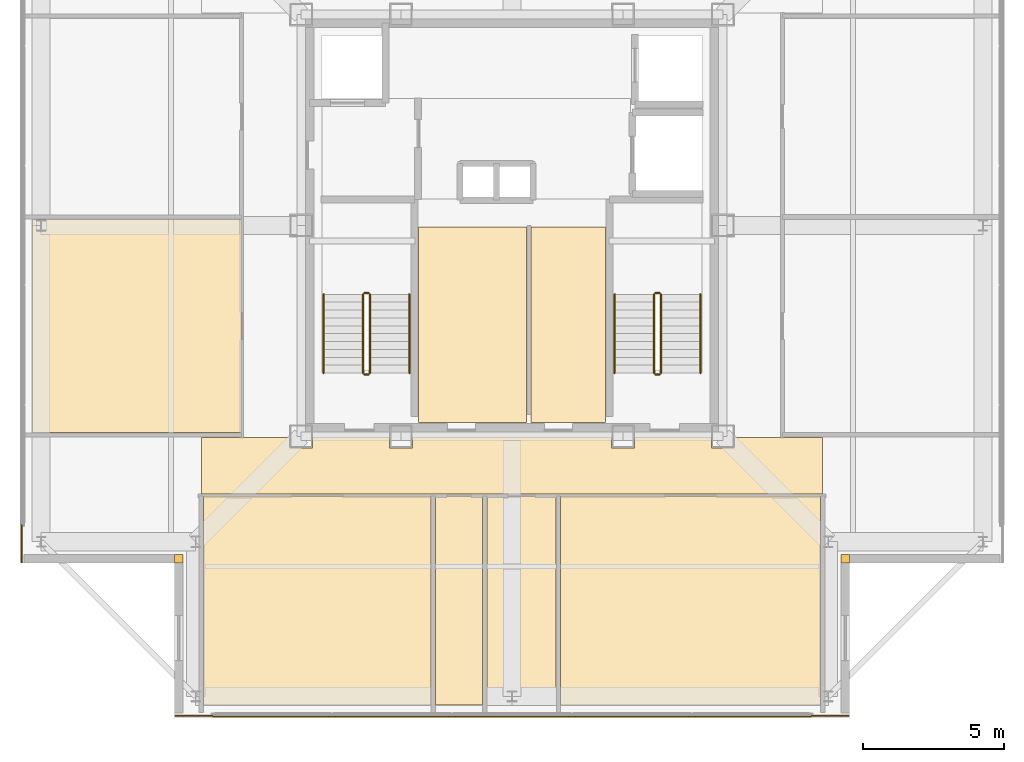
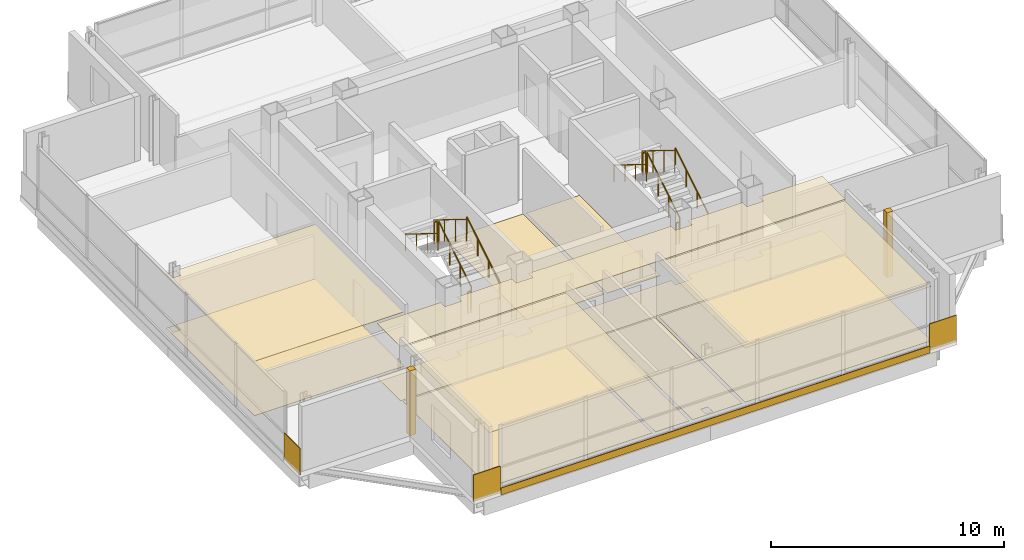
# One storey, part 11 of 12: 18 coverings, 12 railings.
"""IFC4 building model written with IfcOpenShell, lengths in metres."""

from ifc_helpers import new_model, si_unit, direction, frame, frame_2d, origin, origin_2d, place, context, subcontext, project, spatial, polyline, rectangle, circle, outline, extrude, material, layer, layer_set, type_object, element, save


model = new_model("IFC4")

# Units and contexts
model_context = context("Model", 3, precision=1e-05, world=origin(), true_north=direction((0.0, 1.0)))
body_context = subcontext(model_context, "Body", "Model", "MODEL_VIEW")
ifc_project = project(units=[si_unit("LENGTHUNIT", "METRE"), si_unit("AREAUNIT", "SQUARE_METRE"), si_unit("VOLUMEUNIT", "CUBIC_METRE"), si_unit("PLANEANGLEUNIT", "RADIAN"), si_unit("MASSUNIT", "GRAM", prefix="KILO")], contexts=[model_context])

# Site, building, storey
site_placement = place(None, origin())
site = spatial("IfcSite", under=ifc_project, at=site_placement, CompositionType="ELEMENT")
building_placement = place(site_placement, origin())
building = spatial("IfcBuilding", under=site, at=building_placement, Name="Trevonay Congress Spire", CompositionType="ELEMENT")
storey_placement = place(building_placement, frame((0.0, 0.0, 304.60009765625)))
storey = spatial("IfcBuildingStorey", under=building, at=storey_placement, Name="L80", CompositionType="ELEMENT", Elevation=304.60009765625)

# Coverings
ifc_material_1 = material(Name="Acoustic Mineral Fibre Board", Category="gypsum")
ifc_layer_1 = layer(ifc_material_1, 0.02490234375, Name="Acoustic Mineral Fibre Board")
ifc_layer_set_1 = layer_set([ifc_layer_1], Name="Acoustic Mineral Fibre Board")
covering_type_1 = type_object("IfcCoveringType", Name="COV-CEIL-ACOUSTIC", PredefinedType="CEILING", material=ifc_layer_set_1)
covering_1_placement = place(storey_placement, frame((0.0, 0.0, 2.849853515625)))
element("IfcCovering", 1, at=covering_1_placement, inside=storey, type_object=covering_type_1, Name="L80 Crown Gallery Corridor South acoustic suspended ceiling", PredefinedType="CEILING", context=body_context, shape_type="SweptSolid", body=[
    extrude(outline(polyline([(11.050048828125, -7.550048828125), (11.050048828125, -9.550048828125), (-11.050048828125, -9.550048828125), (-11.050048828125, -7.550048828125), (-7.909912109375, -7.550048828125), (-7.909912109375, -7.909912109375), (-7.090087890625, -7.909912109375), (-7.090087890625, -7.550048828125), (-4.360107421875, -7.550048828125), (-4.360107421875, -7.909912109375), (-3.5400390625, -7.909912109375), (-3.5400390625, -7.550048828125), (3.5400390625, -7.550048828125), (3.5400390625, -7.909912109375), (4.360107421875, -7.909912109375), (4.360107421875, -7.550048828125), (7.090087890625, -7.550048828125), (7.090087890625, -7.909912109375), (7.909912109375, -7.909912109375), (7.909912109375, -7.550048828125), (11.050048828125, -7.550048828125)])), origin(), (0.0, 0.0, 1.0), 0.025146484375),
])
covering_2_placement = place(storey_placement, frame((0.0, 0.0, 2.849853515625)))
element("IfcCovering", 2, at=covering_2_placement, inside=storey, type_object=covering_type_1, Name="L80 Sky Observatory Salon South acoustic suspended ceiling", PredefinedType="CEILING", context=body_context, shape_type="SweptSolid", body=[
    extrude(outline(polyline([(-10.969970703125, -17.050048828125), (-2.8798828125, -17.050048828125), (-2.8798828125, -9.6201171875), (-10.969970703125, -9.6201171875), (-10.969970703125, -17.050048828125)])), origin(), (0.0, 0.0, 1.0), 0.025146484375),
])
covering_3_placement = place(storey_placement, frame((0.0, 0.0, 2.849853515625)))
element("IfcCovering", 3, at=covering_3_placement, inside=storey, type_object=covering_type_1, Name="L80 Crown Cocktail Bar acoustic suspended ceiling", PredefinedType="CEILING", context=body_context, shape_type="SweptSolid", body=[
    extrude(outline(polyline([(1.72998046875, -17.050048828125), (10.969970703125, -17.050048828125), (10.969970703125, -9.6201171875), (1.72998046875, -9.6201171875), (1.72998046875, -17.050048828125)])), origin(), (0.0, 0.0, 1.0), 0.025146484375),
])
covering_4_placement = place(storey_placement, frame((0.0, 0.0, 2.849853515625)))
element("IfcCovering", 4, at=covering_4_placement, inside=storey, type_object=covering_type_1, Name="L80 VIP Summit Reception Suite acoustic suspended ceiling", PredefinedType="CEILING", context=body_context, shape_type="SweptSolid", body=[
    extrude(outline(polyline([(-17.050048828125, 0.219970703125), (-9.6201171875, 0.219970703125), (-9.6201171875, -7.3701171875), (-17.050048828125, -7.3701171875), (-17.050048828125, 0.219970703125)]), holes=[polyline([(-16.5791015625, -0.196044921875), (-16.5791015625, 0.196044921875), (-16.9208984375, 0.196044921875), (-16.9208984375, -0.196044921875), (-16.5791015625, -0.196044921875)])]), origin(), (0.0, 0.0, 1.0), 0.025146484375),
])
ifc_material_2 = material(Name="Polished Granite Floor Tile", Category="masonry")
ifc_layer_2 = layer(ifc_material_2, 0.02001953125, Name="Polished Granite Floor Tile")
ifc_layer_set_2 = layer_set([ifc_layer_2], Name="Polished Granite Floor Tile")
covering_type_2 = type_object("IfcCoveringType", Name="COV-FLOOR-STONE", PredefinedType="FLOORING", material=ifc_layer_set_2)
covering_5_placement = place(storey_placement, origin())
element("IfcCovering", 5, at=covering_5_placement, inside=storey, type_object=covering_type_2, Name="L80 Core Electrical Sub-Board Room floor finish", PredefinedType="FLOORING", context=body_context, shape_type="SweptSolid", body=[
    extrude(outline(polyline([(-3.320068359375, -7.0), (0.52001953125, -7.0), (0.52001953125, -0.050048828125), (-3.320068359375, -0.050048828125), (-3.320068359375, -7.0)])), origin(), (0.0, 0.0, 1.0), 0.02001953125),
])
covering_6_placement = place(storey_placement, origin())
element("IfcCovering", 6, at=covering_6_placement, inside=storey, type_object=covering_type_2, Name="L80 Cleaner and Housekeeping Store floor finish", PredefinedType="FLOORING", context=body_context, shape_type="SweptSolid", body=[
    extrude(outline(polyline([(0.679931640625, -7.0), (3.320068359375, -7.0), (3.320068359375, -0.050048828125), (0.679931640625, -0.050048828125), (0.679931640625, -7.0)])), origin(), (0.0, 0.0, 1.0), 0.02001953125),
])
covering_7_placement = place(storey_placement, origin())
element("IfcCovering", 7, at=covering_7_placement, inside=storey, type_object=covering_type_2, Name="L80 Crown Gallery Corridor South floor finish", PredefinedType="FLOORING", context=body_context, shape_type="SweptSolid", body=[
    extrude(outline(polyline([(11.050048828125, -7.550048828125), (11.050048828125, -9.550048828125), (-11.050048828125, -9.550048828125), (-11.050048828125, -7.550048828125), (-7.909912109375, -7.550048828125), (-7.909912109375, -7.909912109375), (-7.090087890625, -7.909912109375), (-7.090087890625, -7.550048828125), (-4.360107421875, -7.550048828125), (-4.360107421875, -7.909912109375), (-3.5400390625, -7.909912109375), (-3.5400390625, -7.550048828125), (3.5400390625, -7.550048828125), (3.5400390625, -7.909912109375), (4.360107421875, -7.909912109375), (4.360107421875, -7.550048828125), (7.090087890625, -7.550048828125), (7.090087890625, -7.909912109375), (7.909912109375, -7.909912109375), (7.909912109375, -7.550048828125), (11.050048828125, -7.550048828125)])), origin(), (0.0, 0.0, 1.0), 0.02001953125),
])
covering_8_placement = place(storey_placement, origin())
element("IfcCovering", 8, at=covering_8_placement, inside=storey, type_object=covering_type_2, Name="L80 Sky Observatory Salon South floor finish", PredefinedType="FLOORING", context=body_context, shape_type="SweptSolid", body=[
    extrude(outline(polyline([(-10.969970703125, -17.050048828125), (-2.8798828125, -17.050048828125), (-2.8798828125, -9.6201171875), (-10.969970703125, -9.6201171875), (-10.969970703125, -17.050048828125)])), origin(), (0.0, 0.0, 1.0), 0.02001953125),
])
covering_9_placement = place(storey_placement, origin())
element("IfcCovering", 9, at=covering_9_placement, inside=storey, type_object=covering_type_2, Name="L80 Accessible WC floor finish", PredefinedType="FLOORING", context=body_context, shape_type="SweptSolid", body=[
    extrude(outline(polyline([(-2.719970703125, -17.050048828125), (-1.050048828125, -17.050048828125), (-1.050048828125, -9.6201171875), (-2.719970703125, -9.6201171875), (-2.719970703125, -17.050048828125)])), origin(), (0.0, 0.0, 1.0), 0.02001953125),
])
covering_10_placement = place(storey_placement, origin())
element("IfcCovering", 10, at=covering_10_placement, inside=storey, type_object=covering_type_2, Name="L80 Floor Supplies and Copy Room floor finish", PredefinedType="FLOORING", context=body_context, shape_type="SweptSolid", body=[
    extrude(outline(polyline([(-0.889892578125, -9.6201171875), (1.570068359375, -9.6201171875), (1.570068359375, -17.050048828125), (-0.889892578125, -17.050048828125), (-0.889892578125, -9.6201171875)]), holes=[polyline([(0.1708984375, -16.946044921875), (0.1708984375, -16.553955078125), (-0.1708984375, -16.553955078125), (-0.1708984375, -16.946044921875), (0.1708984375, -16.946044921875)])]), origin(), (0.0, 0.0, 1.0), 0.02001953125),
])
covering_11_placement = place(storey_placement, origin())
element("IfcCovering", 11, at=covering_11_placement, inside=storey, type_object=covering_type_2, Name="L80 Crown Cocktail Bar floor finish", PredefinedType="FLOORING", context=body_context, shape_type="SweptSolid", body=[
    extrude(outline(polyline([(1.72998046875, -17.050048828125), (10.969970703125, -17.050048828125), (10.969970703125, -9.6201171875), (1.72998046875, -9.6201171875), (1.72998046875, -17.050048828125)])), origin(), (0.0, 0.0, 1.0), 0.02001953125),
])
ifc_material_3 = material(Name="Engineered Oak Flooring", Category="wood")
ifc_layer_3 = layer(ifc_material_3, 0.01806640625, Name="Engineered Oak Flooring")
ifc_layer_set_3 = layer_set([ifc_layer_3], Name="Engineered Oak Flooring")
covering_type_3 = type_object("IfcCoveringType", Name="COV-FLOOR-TIMBER", PredefinedType="FLOORING", material=ifc_layer_set_3)
covering_12_placement = place(storey_placement, origin())
element("IfcCovering", 12, at=covering_12_placement, inside=storey, type_object=covering_type_3, Name="L80 VIP Summit Reception Suite floor finish", PredefinedType="FLOORING", context=body_context, shape_type="SweptSolid", body=[
    extrude(outline(polyline([(-17.050048828125, 0.219970703125), (-9.6201171875, 0.219970703125), (-9.6201171875, -7.3701171875), (-17.050048828125, -7.3701171875), (-17.050048828125, 0.219970703125)]), holes=[polyline([(-16.5791015625, -0.196044921875), (-16.5791015625, 0.196044921875), (-16.9208984375, 0.196044921875), (-16.9208984375, -0.196044921875), (-16.5791015625, -0.196044921875)])]), origin(), (0.0, 0.0, 1.0), 0.017822265625),
])
ifc_material_4 = material(Name="Pale Anodised Aluminium EN AW-6063-T6", Category="aluminium")
ifc_layer_4 = layer(ifc_material_4, 0.0400390625, Name="Pale Anodised Aluminium EN AW-6063-T6")
ifc_layer_set_4 = layer_set([ifc_layer_4], Name="Pale Anodised Aluminium EN AW-6063-T6")
covering_type_4 = type_object("IfcCoveringType", Name="COV-SPANDREL-PALE-METAL", PredefinedType="CLADDING", material=ifc_layer_set_4)
covering_13_placement = place(storey_placement, frame((-10.64990234375, -17.47998046875, -0.239990234375), z_axis=(0.0, 0.0, 1.0), x_axis=(1.0, 0.0, 0.0)))
element("IfcCovering", 13, at=covering_13_placement, inside=storey, type_object=covering_type_4, Name="L80 S pale-metal slab-edge spandrel cladding", PredefinedType="CLADDING", context=body_context, shape_type="SweptSolid", body=[
    extrude(rectangle(XDim=21.2998046875, YDim=0.0400390625, at=frame_2d((10.64990234375, 0.0))), origin(), (0.0, 0.0, 1.0), 0.35986328125),
])
covering_14_placement = place(storey_placement, origin())
element("IfcCovering", 14, at=covering_14_placement, inside=storey, type_object=covering_type_4, Name="L80 SW re-entrant notch corner closure trim", PredefinedType="CLADDING", context=body_context, shape_type="SweptSolid", body=[
    extrude(outline(polyline([(-12.0, -12.0), (-11.699951171875, -12.0), (-11.699951171875, -11.699951171875), (-12.0, -11.699951171875), (-12.0, -12.0)])), origin(), (0.0, 0.0, 1.0), 3.39990234375),
])
for number, where, z_axis, x_axis, name in (
    (15, (-17.43994140625, -10.64990234375, -0.150146484375), (0.0, 0.0, 1.0), (0.0, -1.0, 0.0), "L80 SW corner pier spandrel cladding 1"),
    (16, (-10.64990234375, -17.43994140625, -0.150146484375), (0.0, 0.0, 1.0), (-1.0, 0.0, 0.0), "L80 SW corner pier spandrel cladding 2"),
):
    element("IfcCovering", number, at=place(storey_placement, frame(where, z_axis=z_axis, x_axis=x_axis)), inside=storey, type_object=covering_type_4, Name=name, PredefinedType="CLADDING", context=body_context, shape_type="SweptSolid", body=[
        extrude(rectangle(XDim=1.35009765625, YDim=0.0400390625, at=frame_2d((0.675048828125, 0.0))), origin(), (0.0, 0.0, 1.0), 1.400146484375),
    ])
covering_15_placement = place(storey_placement, origin())
element("IfcCovering", 17, at=covering_15_placement, inside=storey, type_object=covering_type_4, Name="L80 SE re-entrant notch corner closure trim", PredefinedType="CLADDING", context=body_context, shape_type="SweptSolid", body=[
    extrude(outline(polyline([(11.699951171875, -12.0), (12.0, -12.0), (12.0, -11.699951171875), (11.699951171875, -11.699951171875), (11.699951171875, -12.0)])), origin(), (0.0, 0.0, 1.0), 3.39990234375),
])
covering_16_placement = place(storey_placement, frame((10.64990234375, -17.43994140625, -0.150146484375), z_axis=(0.0, 0.0, 1.0), x_axis=(1.0, 0.0, 0.0)))
element("IfcCovering", 18, at=covering_16_placement, inside=storey, type_object=covering_type_4, Name="L80 SE corner pier spandrel cladding 2", PredefinedType="CLADDING", context=body_context, shape_type="SweptSolid", body=[
    extrude(rectangle(XDim=1.35009765625, YDim=0.0400390625, at=frame_2d((0.675048828125, 0.0))), origin(), (0.0, 0.0, 1.0), 1.400146484375),
])

# Railings
railing_type_1 = type_object("IfcRailingType", Name="RAL-STAIR-GUARD-110", PredefinedType="GUARDRAIL", material=ifc_material_4)
railing_1_placement = place(storey_placement, frame((-5.050048828125, -5.25, 0.172607421875)))
element("IfcRailing", 19, at=railing_1_placement, inside=storey, type_object=railing_type_1, Name="L80 ST-1 stair guard 1", PredefinedType="GUARDRAIL", context=body_context, shape_type="SweptSolid", body=[
    extrude(circle(Radius=0.02392578125, at=origin_2d()), frame((0.0, 0.0, 1.1259765625), z_axis=(0.0, 0.851089632645, 0.525020415988), x_axis=(-1.0, 0.0, 0.0)), (0.0, 0.0, 1.0), 3.2900390625),
    extrude(circle(Radius=0.02099609375, at=origin_2d()), origin(), (0.0, 0.0, 1.0), 1.101806640625),
    extrude(circle(Radius=0.02099609375, at=origin_2d()), frame((0.0, 0.933349609375, 0.57568359375)), (0.0, 0.0, 1.0), 1.101806640625),
    extrude(circle(Radius=0.02099609375, at=origin_2d()), frame((0.0, 1.86669921875, 1.151611328125)), (0.0, 0.0, 1.0), 1.101806640625),
    extrude(circle(Radius=0.02099609375, at=origin_2d()), frame((0.0, 2.800048828125, 1.727294921875)), (0.0, 0.0, 1.0), 1.101806640625),
])
railing_2_placement = place(storey_placement, frame((-5.10009765625, -2.39990234375, 1.89990234375)))
element("IfcRailing", 20, at=railing_2_placement, inside=storey, type_object=railing_type_1, Name="L80 ST-1 stair guard 2", PredefinedType="GUARDRAIL", context=body_context, shape_type="SweptSolid", body=[
    extrude(circle(Radius=0.02392578125, at=origin_2d()), frame((0.0, 0.0, 1.1259765625), z_axis=(-1.0, 0.0, 0.0), x_axis=(0.0, -1.0, 0.0)), (0.0, 0.0, 1.0), 0.14990234375),
    extrude(circle(Radius=0.02099609375, at=origin_2d()), origin(), (0.0, 0.0, 1.0), 1.101806640625),
    extrude(circle(Radius=0.02099609375, at=origin_2d()), frame((-0.14990234375, 0.0, 0.0)), (0.0, 0.0, 1.0), 1.101806640625),
])
railing_3_placement = place(storey_placement, frame((-5.300048828125, -2.449951171875, 2.072509765625)))
element("IfcRailing", 21, at=railing_3_placement, inside=storey, type_object=railing_type_1, Name="L80 ST-1 stair guard 3", PredefinedType="GUARDRAIL", context=body_context, shape_type="SweptSolid", body=[
    extrude(circle(Radius=0.02392578125, at=origin_2d()), frame((0.0, 0.0, 1.1259765625), z_axis=(0.0, -0.851089632645, 0.525020415988), x_axis=(1.0, 0.0, 0.0)), (0.0, 0.0, 1.0), 3.2900390625),
    extrude(circle(Radius=0.02099609375, at=origin_2d()), origin(), (0.0, 0.0, 1.0), 1.101806640625),
    extrude(circle(Radius=0.02099609375, at=origin_2d()), frame((0.0, -0.933349609375, 0.57568359375)), (0.0, 0.0, 1.0), 1.101806640625),
    extrude(circle(Radius=0.02099609375, at=origin_2d()), frame((0.0, -1.86669921875, 1.151611328125)), (0.0, 0.0, 1.0), 1.101806640625),
    extrude(circle(Radius=0.02099609375, at=origin_2d()), frame((0.0, -2.800048828125, 1.727294921875)), (0.0, 0.0, 1.0), 1.101806640625),
])
railing_4_placement = place(storey_placement, frame((-5.10009765625, -5.300048828125, 0.0)))
element("IfcRailing", 22, at=railing_4_placement, inside=storey, type_object=railing_type_1, Name="L80 ST-1 stair guard 4", PredefinedType="GUARDRAIL", context=body_context, shape_type="SweptSolid", body=[
    extrude(circle(Radius=0.02392578125, at=origin_2d()), frame((0.0, 0.0, 1.1259765625), z_axis=(-1.0, 0.0, 0.0), x_axis=(0.0, -1.0, 0.0)), (0.0, 0.0, 1.0), 0.14990234375),
    extrude(circle(Radius=0.02099609375, at=origin_2d()), origin(), (0.0, 0.0, 1.0), 1.101806640625),
    extrude(circle(Radius=0.02099609375, at=origin_2d()), frame((-0.14990234375, 0.0, 0.0)), (0.0, 0.0, 1.0), 1.101806640625),
])
railing_5_placement = place(storey_placement, frame((5.300048828125, -5.25, 0.172607421875)))
element("IfcRailing", 23, at=railing_5_placement, inside=storey, type_object=railing_type_1, Name="L80 ST-2 stair guard 1", PredefinedType="GUARDRAIL", context=body_context, shape_type="SweptSolid", body=[
    extrude(circle(Radius=0.02392578125, at=origin_2d()), frame((0.0, 0.0, 1.1259765625), z_axis=(0.0, 0.851089632645, 0.525020415988), x_axis=(-1.0, 0.0, 0.0)), (0.0, 0.0, 1.0), 3.2900390625),
    extrude(circle(Radius=0.02099609375, at=origin_2d()), origin(), (0.0, 0.0, 1.0), 1.101806640625),
    extrude(circle(Radius=0.02099609375, at=origin_2d()), frame((0.0, 0.933349609375, 0.57568359375)), (0.0, 0.0, 1.0), 1.101806640625),
    extrude(circle(Radius=0.02099609375, at=origin_2d()), frame((0.0, 1.86669921875, 1.151611328125)), (0.0, 0.0, 1.0), 1.101806640625),
    extrude(circle(Radius=0.02099609375, at=origin_2d()), frame((0.0, 2.800048828125, 1.727294921875)), (0.0, 0.0, 1.0), 1.101806640625),
])
railing_6_placement = place(storey_placement, frame((5.25, -2.39990234375, 1.89990234375)))
element("IfcRailing", 24, at=railing_6_placement, inside=storey, type_object=railing_type_1, Name="L80 ST-2 stair guard 2", PredefinedType="GUARDRAIL", context=body_context, shape_type="SweptSolid", body=[
    extrude(circle(Radius=0.02392578125, at=origin_2d()), frame((0.0, 0.0, 1.1259765625), z_axis=(-1.0, 0.0, 0.0), x_axis=(0.0, -1.0, 0.0)), (0.0, 0.0, 1.0), 0.14990234375),
    extrude(circle(Radius=0.02099609375, at=origin_2d()), origin(), (0.0, 0.0, 1.0), 1.101806640625),
    extrude(circle(Radius=0.02099609375, at=origin_2d()), frame((-0.14990234375, 0.0, 0.0)), (0.0, 0.0, 1.0), 1.101806640625),
])
railing_7_placement = place(storey_placement, frame((5.050048828125, -2.449951171875, 2.072509765625)))
element("IfcRailing", 25, at=railing_7_placement, inside=storey, type_object=railing_type_1, Name="L80 ST-2 stair guard 3", PredefinedType="GUARDRAIL", context=body_context, shape_type="SweptSolid", body=[
    extrude(circle(Radius=0.02392578125, at=origin_2d()), frame((0.0, 0.0, 1.1259765625), z_axis=(0.0, -0.851089632645, 0.525020415988), x_axis=(1.0, 0.0, 0.0)), (0.0, 0.0, 1.0), 3.2900390625),
    extrude(circle(Radius=0.02099609375, at=origin_2d()), origin(), (0.0, 0.0, 1.0), 1.101806640625),
    extrude(circle(Radius=0.02099609375, at=origin_2d()), frame((0.0, -0.933349609375, 0.57568359375)), (0.0, 0.0, 1.0), 1.101806640625),
    extrude(circle(Radius=0.02099609375, at=origin_2d()), frame((0.0, -1.86669921875, 1.151611328125)), (0.0, 0.0, 1.0), 1.101806640625),
    extrude(circle(Radius=0.02099609375, at=origin_2d()), frame((0.0, -2.800048828125, 1.727294921875)), (0.0, 0.0, 1.0), 1.101806640625),
])
railing_8_placement = place(storey_placement, frame((5.25, -5.300048828125, 0.0)))
element("IfcRailing", 26, at=railing_8_placement, inside=storey, type_object=railing_type_1, Name="L80 ST-2 stair guard 4", PredefinedType="GUARDRAIL", context=body_context, shape_type="SweptSolid", body=[
    extrude(circle(Radius=0.02392578125, at=origin_2d()), frame((0.0, 0.0, 1.1259765625), z_axis=(-1.0, 0.0, 0.0), x_axis=(0.0, -1.0, 0.0)), (0.0, 0.0, 1.0), 0.14990234375),
    extrude(circle(Radius=0.02099609375, at=origin_2d()), origin(), (0.0, 0.0, 1.0), 1.101806640625),
    extrude(circle(Radius=0.02099609375, at=origin_2d()), frame((-0.14990234375, 0.0, 0.0)), (0.0, 0.0, 1.0), 1.101806640625),
])
railing_type_2 = type_object("IfcRailingType", Name="RAL-STAIR-HANDRAIL", PredefinedType="HANDRAIL", material=ifc_material_4)
railing_9_placement = place(storey_placement, frame((-3.64990234375, -5.25, 0.172607421875)))
element("IfcRailing", 27, at=railing_9_placement, inside=storey, type_object=railing_type_2, Name="L80 ST-1 stair handrail 1", PredefinedType="HANDRAIL", context=body_context, shape_type="SweptSolid", body=[
    extrude(circle(Radius=0.02392578125, at=origin_2d()), frame((0.0, 0.0, 0.8759765625), z_axis=(0.0, 0.851089632645, 0.525020415988), x_axis=(-1.0, 0.0, 0.0)), (0.0, 0.0, 1.0), 3.2900390625),
    extrude(circle(Radius=0.02099609375, at=origin_2d()), origin(), (0.0, 0.0, 1.0), 0.851806640625),
    extrude(circle(Radius=0.02099609375, at=origin_2d()), frame((0.0, 0.933349609375, 0.57568359375)), (0.0, 0.0, 1.0), 0.851806640625),
    extrude(circle(Radius=0.02099609375, at=origin_2d()), frame((0.0, 1.86669921875, 1.151611328125)), (0.0, 0.0, 1.0), 0.851806640625),
    extrude(circle(Radius=0.02099609375, at=origin_2d()), frame((0.0, 2.800048828125, 1.727294921875)), (0.0, 0.0, 1.0), 0.851806640625),
])
railing_10_placement = place(storey_placement, frame((-6.699951171875, -2.449951171875, 2.072509765625)))
element("IfcRailing", 28, at=railing_10_placement, inside=storey, type_object=railing_type_2, Name="L80 ST-1 stair handrail 2", PredefinedType="HANDRAIL", context=body_context, shape_type="SweptSolid", body=[
    extrude(circle(Radius=0.02392578125, at=origin_2d()), frame((0.0, 0.0, 0.8759765625), z_axis=(0.0, -0.851089632645, 0.525020415988), x_axis=(1.0, 0.0, 0.0)), (0.0, 0.0, 1.0), 3.2900390625),
    extrude(circle(Radius=0.02099609375, at=origin_2d()), origin(), (0.0, 0.0, 1.0), 0.851806640625),
    extrude(circle(Radius=0.02099609375, at=origin_2d()), frame((0.0, -0.933349609375, 0.57568359375)), (0.0, 0.0, 1.0), 0.851806640625),
    extrude(circle(Radius=0.02099609375, at=origin_2d()), frame((0.0, -1.86669921875, 1.151611328125)), (0.0, 0.0, 1.0), 0.851806640625),
    extrude(circle(Radius=0.02099609375, at=origin_2d()), frame((0.0, -2.800048828125, 1.727294921875)), (0.0, 0.0, 1.0), 0.851806640625),
])
railing_11_placement = place(storey_placement, frame((6.699951171875, -5.25, 0.172607421875)))
element("IfcRailing", 29, at=railing_11_placement, inside=storey, type_object=railing_type_2, Name="L80 ST-2 stair handrail 1", PredefinedType="HANDRAIL", context=body_context, shape_type="SweptSolid", body=[
    extrude(circle(Radius=0.02392578125, at=origin_2d()), frame((0.0, 0.0, 0.8759765625), z_axis=(0.0, 0.851089632645, 0.525020415988), x_axis=(-1.0, 0.0, 0.0)), (0.0, 0.0, 1.0), 3.2900390625),
    extrude(circle(Radius=0.02099609375, at=origin_2d()), origin(), (0.0, 0.0, 1.0), 0.851806640625),
    extrude(circle(Radius=0.02099609375, at=origin_2d()), frame((0.0, 0.933349609375, 0.57568359375)), (0.0, 0.0, 1.0), 0.851806640625),
    extrude(circle(Radius=0.02099609375, at=origin_2d()), frame((0.0, 1.86669921875, 1.151611328125)), (0.0, 0.0, 1.0), 0.851806640625),
    extrude(circle(Radius=0.02099609375, at=origin_2d()), frame((0.0, 2.800048828125, 1.727294921875)), (0.0, 0.0, 1.0), 0.851806640625),
])
railing_12_placement = place(storey_placement, frame((3.64990234375, -2.449951171875, 2.072509765625)))
element("IfcRailing", 30, at=railing_12_placement, inside=storey, type_object=railing_type_2, Name="L80 ST-2 stair handrail 2", PredefinedType="HANDRAIL", context=body_context, shape_type="SweptSolid", body=[
    extrude(circle(Radius=0.02392578125, at=origin_2d()), frame((0.0, 0.0, 0.8759765625), z_axis=(0.0, -0.851089632645, 0.525020415988), x_axis=(1.0, 0.0, 0.0)), (0.0, 0.0, 1.0), 3.2900390625),
    extrude(circle(Radius=0.02099609375, at=origin_2d()), origin(), (0.0, 0.0, 1.0), 0.851806640625),
    extrude(circle(Radius=0.02099609375, at=origin_2d()), frame((0.0, -0.933349609375, 0.57568359375)), (0.0, 0.0, 1.0), 0.851806640625),
    extrude(circle(Radius=0.02099609375, at=origin_2d()), frame((0.0, -1.86669921875, 1.151611328125)), (0.0, 0.0, 1.0), 0.851806640625),
    extrude(circle(Radius=0.02099609375, at=origin_2d()), frame((0.0, -2.800048828125, 1.727294921875)), (0.0, 0.0, 1.0), 0.851806640625),
])

save(model, "model.ifc")
